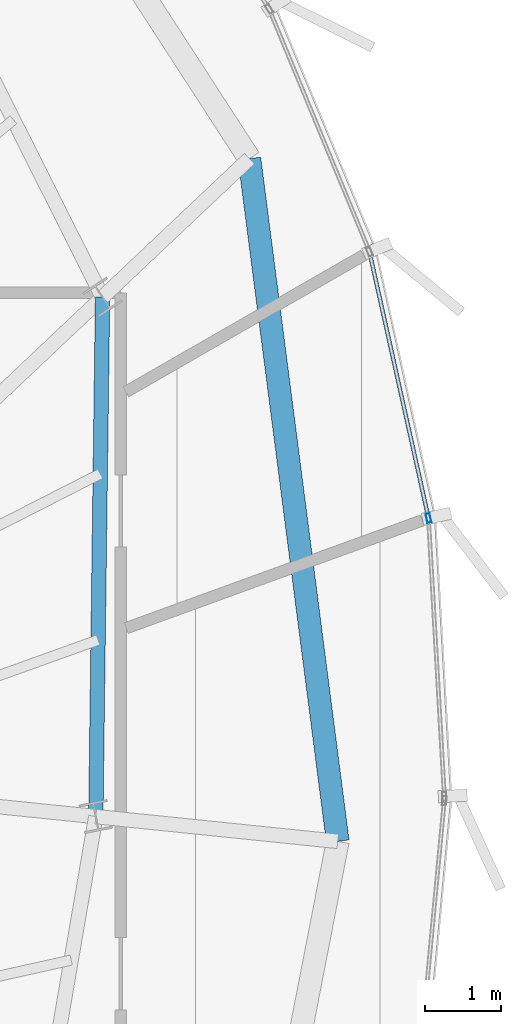
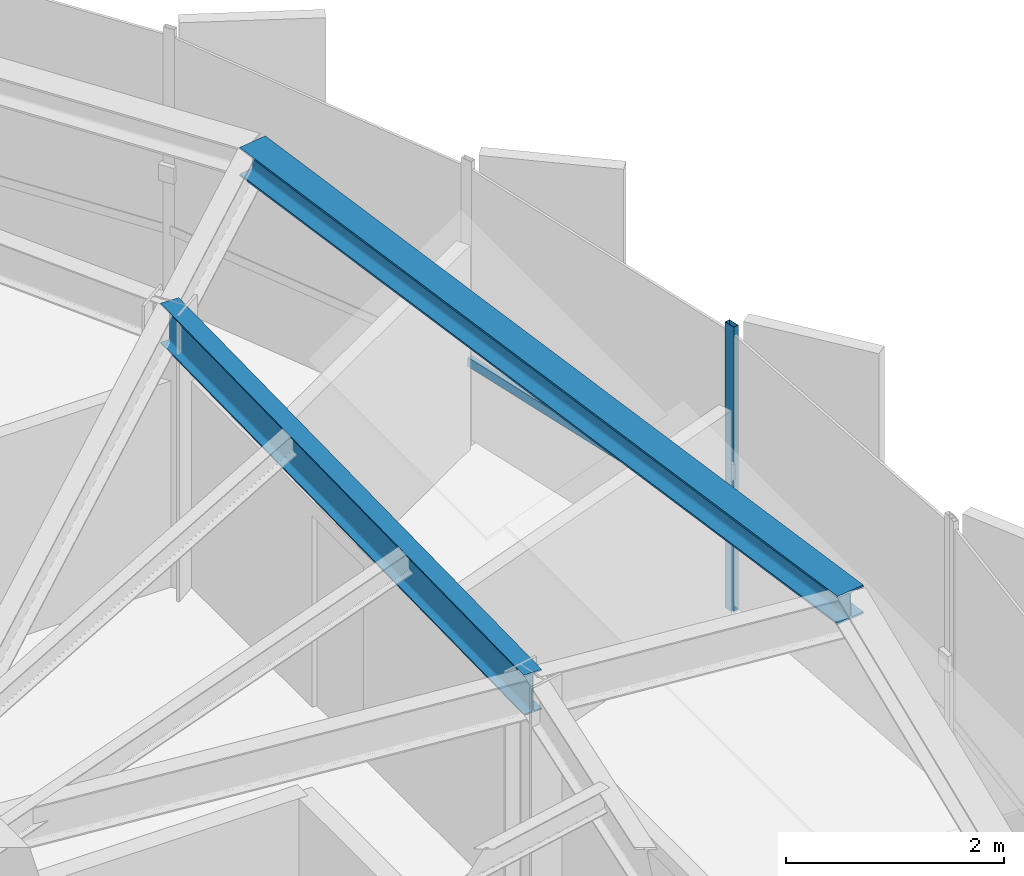
# One storey, part 16 of 31: 2 beams, 2 members, 1 element without a shape of its own.
"""IFC4 building model written with IfcOpenShell, lengths in metres."""

from ifc_helpers import new_model, si_unit, direction, frame, origin, origin_2d, place, context, subcontext, project, spatial, hollow_rectangle, i_section, extrude, source, transform, mapped, material, layer, layer_set, material_profile, profile_set, type_object, element, aggregate, save


model = new_model("IFC4")

# Units and contexts
model_context = context("Model", 3, precision=1e-05, world=origin(), true_north=direction((0.0, 1.0)))
body_context = subcontext(model_context, "Body", "Model", "MODEL_VIEW")
ifc_project = project(units=[si_unit("LENGTHUNIT", "METRE"), si_unit("AREAUNIT", "SQUARE_METRE"), si_unit("VOLUMEUNIT", "CUBIC_METRE"), si_unit("PLANEANGLEUNIT", "RADIAN"), si_unit("MASSUNIT", "GRAM", prefix="KILO"), si_unit("THERMODYNAMICTEMPERATUREUNIT", "KELVIN")], contexts=[model_context])

# Site, building, storey
site_placement = place(None, origin())
site = spatial("IfcSite", under=ifc_project, at=site_placement, CompositionType="ELEMENT")
building_placement = place(site_placement, origin())
building = spatial("IfcBuilding", under=site, at=building_placement, Name="Kethvar Cultural Tower", CompositionType="ELEMENT")
storey_placement = place(building_placement, frame((0.0, 0.0, 290.5)))
storey = spatial("IfcBuildingStorey", under=building, at=storey_placement, Name="L77", CompositionType="ELEMENT", Elevation=290.5)

# Beams
ifc_material_1 = material(Name="Steel S355J2", Category="steel")
ifc_material_profile_1 = material_profile(ifc_material_1, i_section(OverallWidth=0.18994140625, OverallDepth=0.449951171875, WebThickness=0.009521484375, FlangeThickness=0.0146484375, FilletRadius=0.02099609375, at=origin_2d()), Name="Steel S355J2 — IPE450")
ifc_profile_set_1 = profile_set([ifc_material_profile_1], Name="Steel S355J2 — IPE450")
beam_type_1 = type_object("IfcBeamType", Name="BM-IPE450", PredefinedType="BEAM", material=ifc_profile_set_1)
shared_shape_1 = source(origin(), body_context, "Body", "SweptSolid", [
    extrude(i_section(OverallWidth=0.18994140625, OverallDepth=0.449951171875, WebThickness=0.009521484375, FlangeThickness=0.0146484375, FilletRadius=0.02099609375, at=origin_2d()), origin(), (0.0, 0.0, 1.0), 6.834716796875),
])
beam_1_placement = place(storey_placement, frame((61.237060546875, 30.671630859375, 2.98291015625), z_axis=(0.012966437445, 0.999915932216, 0.0), x_axis=(-0.999915932216, 0.012966437445, 0.0)))
element("IfcBeam", 1, at=beam_1_placement, inside=storey, type_object=beam_type_1, Name="L77 Column Ring Tie Beam CR-01", PredefinedType="BEAM", context=body_context, shape_type="MappedRepresentation", body=[
    mapped(shared_shape_1, transform((0.0, 0.0, 0.0), scale=1.0)),
])
ifc_material_profile_2 = material_profile(ifc_material_1, i_section(OverallWidth=0.300048828125, OverallDepth=0.320068359375, WebThickness=0.011474609375, FlangeThickness=0.0205078125, FilletRadius=0.027099609375, at=origin_2d()), Name="Steel S355J2 — HEB320")
ifc_profile_set_2 = profile_set([ifc_material_profile_2], Name="Steel S355J2 — HEB320")
beam_type_2 = type_object("IfcBeamType", Name="BM-SP320", PredefinedType="SPANDREL", material=ifc_profile_set_2)
shared_shape_2 = source(origin(), body_context, "Body", "SweptSolid", [
    extrude(i_section(OverallWidth=0.300048828125, OverallDepth=0.320068359375, WebThickness=0.011474609375, FlangeThickness=0.0205078125, FilletRadius=0.027099609375, at=origin_2d()), origin(), (0.0, 0.0, 1.0), 9.059326171875),
])
beam_2_placement = place(storey_placement, frame((64.42041015625, 30.34521484375, 3.048095703125), z_axis=(-0.128332178368, 0.9917312398, 0.0), x_axis=(-0.9917312398, -0.128332178368, 0.0)))
element("IfcBeam", 2, at=beam_2_placement, inside=storey, type_object=beam_type_2, Name="L77 Perimeter Spandrel Beam SP-01", PredefinedType="SPANDREL", context=body_context, shape_type="MappedRepresentation", body=[
    mapped(shared_shape_2, transform((0.0, 0.0, 0.0), scale=1.0)),
])

# Curtain wall, members
ifc_material_2 = material(Name="Aluminium 6063-T6", Category="aluminium")
ifc_layer = layer(ifc_material_2, 0.179931640625, Name="Aluminium 6063-T6", Category="aluminium")
ifc_layer_set = layer_set([ifc_layer], Name="Aluminium 6063-T6 (180 mm)")
curtain_wall_type = type_object("IfcCurtainWallType", Name="CW-SYS-05-Z56", PredefinedType="NOTDEFINED", material=ifc_layer_set)
curtain_wall_placement = place(storey_placement, origin())
curtain_wall = element("IfcCurtainWall", 3, at=curtain_wall_placement, inside=storey, type_object=curtain_wall_type, Name="L77 Curtain Wall Run 06", PredefinedType="NOTDEFINED")
ifc_material_profile_3 = material_profile(ifc_material_2, hollow_rectangle(XDim=0.054931640625, YDim=0.1201171875, WallThickness=0.00390625, at=origin_2d()), Name="Aluminium 6063-T6 — RHS120x55x4")
ifc_profile_set_3 = profile_set([ifc_material_profile_3], Name="Aluminium 6063-T6 — RHS120x55x4")
member_type_1 = type_object("IfcMemberType", Name="CW-SYS-05-Z56-MUL", PredefinedType="MULLION", material=ifc_profile_set_3)
shared_shape_3 = source(origin(), body_context, "Body", "SweptSolid", [
    extrude(hollow_rectangle(XDim=0.054931640625, YDim=0.1201171875, WallThickness=0.00390625, at=origin_2d()), origin(), (0.0, 0.0, 1.0), 3.2099609375),
])
member_1_placement = place(storey_placement, frame((65.615234375, 34.59912109375, 0.0), z_axis=(0.0, 0.0, 1.0), x_axis=(-0.976265776932, -0.216575928466, 0.0)))
member_1 = element("IfcMember", 4, at=member_1_placement, type_object=member_type_1, Name="CW-L77-R06 Mullion 2", PredefinedType="MULLION", context=body_context, shape_type="MappedRepresentation", body=[
    mapped(shared_shape_3, transform((0.0, 0.0, 0.0), scale=1.0)),
])
ifc_material_profile_4 = material_profile(ifc_material_2, hollow_rectangle(XDim=0.050048828125, YDim=0.10009765625, WallThickness=0.00390625, at=origin_2d()), Name="Aluminium 6063-T6 — RHS100x50x4")
ifc_profile_set_4 = profile_set([ifc_material_profile_4], Name="Aluminium 6063-T6 — RHS100x50x4")
member_type_2 = type_object("IfcMemberType", Name="CW-SYS-05-Z56-TRN", PredefinedType="USERDEFINED", material=ifc_profile_set_4)
shared_shape_4 = source(origin(), body_context, "Body", "SweptSolid", [
    extrude(hollow_rectangle(XDim=0.050048828125, YDim=0.10009765625, WallThickness=0.00390625, at=origin_2d()), origin(), (0.0, 0.0, 1.0), 3.526611328125),
])
member_2_placement = place(storey_placement, frame((65.606689453125, 34.6376953125, 0.949951171875), z_axis=(-0.216549272861, 0.976271689861, 0.0), x_axis=(-0.976271689861, -0.216549272861, 0.0)))
member_2 = element("IfcMember", 5, at=member_2_placement, type_object=member_type_2, Name="CW-L77-R06 Transom 2", ObjectType="TRANSOM", PredefinedType="USERDEFINED", context=body_context, shape_type="MappedRepresentation", body=[
    mapped(shared_shape_4, transform((0.0, 0.0, 0.0), scale=1.0)),
])
aggregate(curtain_wall, [member_1, member_2])

save(model, "model.ifc")
